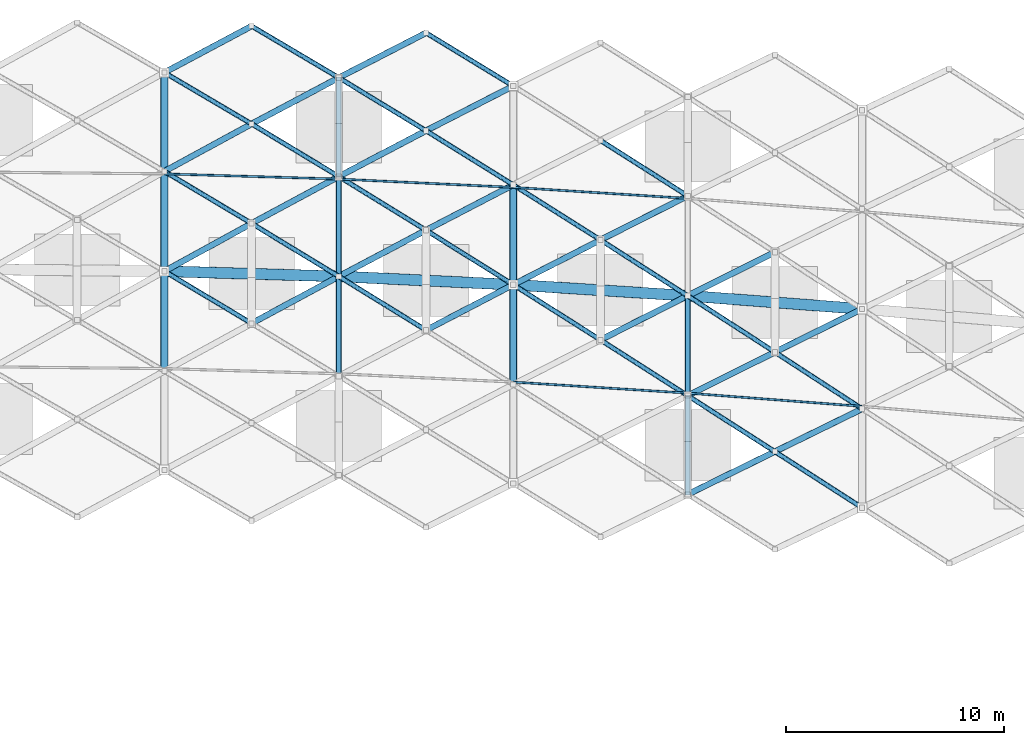
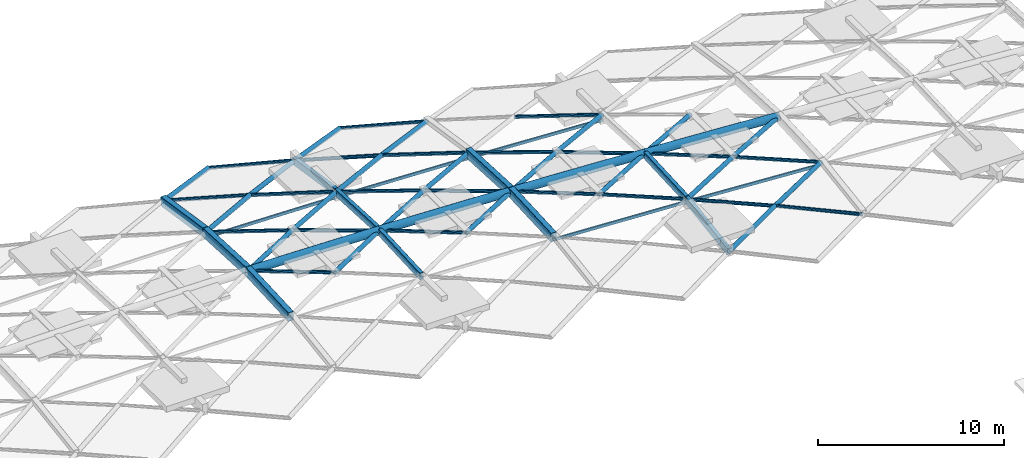
# One storey, part 6 of 27: 50 members, 10 beams.
"""IFC4 building model written with IfcOpenShell, lengths in metres."""

from ifc_helpers import new_model, si_unit, direction, frame, origin, origin_2d, place, context, subcontext, project, spatial, hollow_rectangle, hollow_circle, extrude, material, material_profile, profile_set, type_object, element, save


model = new_model("IFC4")

# Units and contexts
model_context = context("Model", 3, precision=1e-05, world=origin(), true_north=direction((0.0, 1.0)))
body_context = subcontext(model_context, "Body", "Model", "MODEL_VIEW")
ifc_project = project(units=[si_unit("LENGTHUNIT", "METRE"), si_unit("AREAUNIT", "SQUARE_METRE"), si_unit("VOLUMEUNIT", "CUBIC_METRE"), si_unit("PLANEANGLEUNIT", "RADIAN"), si_unit("MASSUNIT", "GRAM", prefix="KILO")], contexts=[model_context])

# Site, building, storey
site_placement = place(None, origin())
site = spatial("IfcSite", under=ifc_project, at=site_placement, CompositionType="ELEMENT")
building_placement = place(site_placement, origin())
building = spatial("IfcBuilding", under=site, at=building_placement, Name="Kenh Van Central Station", CompositionType="ELEMENT")
storey_placement = place(building_placement, frame((0.0, 0.0, 19.199951171875)))
storey = spatial("IfcBuildingStorey", under=building, at=storey_placement, Name="L04", CompositionType="ELEMENT", Elevation=19.199951171875)

# Beams
ifc_material = material(Name="White fluoropolymer structural steel S355", Category="steel")
ifc_material_profile_1 = material_profile(ifc_material, hollow_rectangle(XDim=0.35009765625, YDim=0.60009765625, WallThickness=0.01611328125, InnerFilletRadius=0.01611328125, OuterFilletRadius=0.031982421875, at=origin_2d()), Name="RHS 600x350x16")
ifc_profile_set_1 = profile_set([ifc_material_profile_1], Name="White fluoropolymer structural steel S355")
beam_type_1 = type_object("IfcBeamType", Name="BM-VAULT-ARCH600", PredefinedType="BEAM", material=ifc_profile_set_1)
beam_1_placement = place(storey_placement, frame((96.0, 86.53955078125, 1.7744140625), z_axis=(0.0, 0.998789366283, 0.049191480968), x_axis=(-1.0, 0.0, 0.0)))
element("IfcBeam", 1, at=beam_1_placement, inside=storey, type_object=beam_type_1, Name="Vault transverse arch 099", PredefinedType="BEAM", context=body_context, shape_type="SweptSolid", body=[
    extrude(hollow_rectangle(XDim=0.35009765625, YDim=0.60009765625, WallThickness=0.01611328125, InnerFilletRadius=0.01611328125, OuterFilletRadius=0.031982421875, at=origin_2d()), origin(), (0.0, 0.0, 1.0), 4.5859375),
])
beam_2_placement = place(storey_placement, frame((96.0, 91.119873046875, 2.0), z_axis=(0.0, 0.998789237449, -0.04919409677), x_axis=(-1.0, 0.0, 0.0)))
element("IfcBeam", 2, at=beam_2_placement, inside=storey, type_object=beam_type_1, Name="Vault transverse arch 100", PredefinedType="BEAM", context=body_context, shape_type="SweptSolid", body=[
    extrude(hollow_rectangle(XDim=0.35009765625, YDim=0.60009765625, WallThickness=0.01611328125, InnerFilletRadius=0.01611328125, OuterFilletRadius=0.031982421875, at=origin_2d()), origin(), (0.0, 0.0, 1.0), 4.585693359375),
])
beam_3_placement = place(storey_placement, frame((96.0, 95.699951171875, 1.7744140625), z_axis=(0.0, 0.988526901782, -0.151044908728), x_axis=(-1.0, 0.0, 0.0)))
element("IfcBeam", 3, at=beam_3_placement, inside=storey, type_object=beam_type_1, Name="Vault transverse arch 101", PredefinedType="BEAM", context=body_context, shape_type="SweptSolid", body=[
    extrude(hollow_rectangle(XDim=0.35009765625, YDim=0.60009765625, WallThickness=0.01611328125, InnerFilletRadius=0.01611328125, OuterFilletRadius=0.031982421875, at=origin_2d()), origin(), (0.0, 0.0, 1.0), 4.58544921875),
])
beam_4_placement = place(storey_placement, frame((112.0, 85.921630859375, 1.7744140625), z_axis=(0.0, 0.998789366283, 0.049191480968), x_axis=(-1.0, 0.0, 0.0)))
element("IfcBeam", 4, at=beam_4_placement, inside=storey, type_object=beam_type_1, Name="Vault transverse arch 123", PredefinedType="BEAM", context=body_context, shape_type="SweptSolid", body=[
    extrude(hollow_rectangle(XDim=0.35009765625, YDim=0.60009765625, WallThickness=0.01611328125, InnerFilletRadius=0.01611328125, OuterFilletRadius=0.031982421875, at=origin_2d()), origin(), (0.0, 0.0, 1.0), 4.5859375),
])
beam_5_placement = place(storey_placement, frame((112.0, 90.501953125, 2.0), z_axis=(0.0, 0.998789237449, -0.04919409677), x_axis=(-1.0, 0.0, 0.0)))
element("IfcBeam", 5, at=beam_5_placement, inside=storey, type_object=beam_type_1, Name="Vault transverse arch 124", PredefinedType="BEAM", context=body_context, shape_type="SweptSolid", body=[
    extrude(hollow_rectangle(XDim=0.35009765625, YDim=0.60009765625, WallThickness=0.01611328125, InnerFilletRadius=0.01611328125, OuterFilletRadius=0.031982421875, at=origin_2d()), origin(), (0.0, 0.0, 1.0), 4.585693359375),
])
ifc_material_profile_2 = material_profile(ifc_material, hollow_rectangle(XDim=0.25, YDim=0.449951171875, WallThickness=0.012451171875, InnerFilletRadius=0.012451171875, OuterFilletRadius=0.02490234375, at=origin_2d()), Name="RHS 450x250x12.5")
ifc_profile_set_2 = profile_set([ifc_material_profile_2], Name="White fluoropolymer structural steel S355")
beam_type_2 = type_object("IfcBeamType", Name="BM-VAULT-SUB450", PredefinedType="BEAM", material=ifc_profile_set_2)
beam_6_placement = place(storey_placement, frame((104.0, 86.302978515625, 1.7744140625), z_axis=(0.0, 0.998789237449, 0.04919409677), x_axis=(-1.0, 0.0, 0.0)))
element("IfcBeam", 6, at=beam_6_placement, inside=storey, type_object=beam_type_2, Name="Vault transverse arch 111", PredefinedType="BEAM", context=body_context, shape_type="SweptSolid", body=[
    extrude(hollow_rectangle(XDim=0.25, YDim=0.449951171875, WallThickness=0.012451171875, InnerFilletRadius=0.012451171875, OuterFilletRadius=0.02490234375, at=origin_2d()), origin(), (0.0, 0.0, 1.0), 4.585693359375),
])
beam_7_placement = place(storey_placement, frame((104.0, 90.883056640625, 2.0), z_axis=(0.0, 0.998789366283, -0.049191480968), x_axis=(-1.0, 0.0, 0.0)))
element("IfcBeam", 7, at=beam_7_placement, inside=storey, type_object=beam_type_2, Name="Vault transverse arch 112", PredefinedType="BEAM", context=body_context, shape_type="SweptSolid", body=[
    extrude(hollow_rectangle(XDim=0.25, YDim=0.449951171875, WallThickness=0.012451171875, InnerFilletRadius=0.012451171875, OuterFilletRadius=0.02490234375, at=origin_2d()), origin(), (0.0, 0.0, 1.0), 4.5859375),
])
for number, where, z_axis, x_axis, name in (
    (8, (104.0, 95.46337890625, 1.7744140625), (0.0, 0.988525687015, -0.15105285867), (-1.0, 0.0, 0.0), "Vault transverse arch 113"),
    (9, (120.0, 80.882080078125, 1.081787109375), (0.0, 0.988526901782, 0.151044908728), (-1.0, 0.0, 0.0), "Vault transverse arch 134"),
):
    element("IfcBeam", number, at=place(storey_placement, frame(where, z_axis=z_axis, x_axis=x_axis)), inside=storey, type_object=beam_type_2, Name=name, PredefinedType="BEAM", context=body_context, shape_type="SweptSolid", body=[
        extrude(hollow_rectangle(XDim=0.25, YDim=0.449951171875, WallThickness=0.012451171875, InnerFilletRadius=0.012451171875, OuterFilletRadius=0.02490234375, at=origin_2d()), origin(), (0.0, 0.0, 1.0), 4.58544921875),
    ])
beam_8_placement = place(storey_placement, frame((120.0, 85.4150390625, 1.7744140625), z_axis=(0.0, 0.998789237449, 0.04919409677), x_axis=(-1.0, 0.0, 0.0)))
element("IfcBeam", 10, at=beam_8_placement, inside=storey, type_object=beam_type_2, Name="Vault transverse arch 135", PredefinedType="BEAM", context=body_context, shape_type="SweptSolid", body=[
    extrude(hollow_rectangle(XDim=0.25, YDim=0.449951171875, WallThickness=0.012451171875, InnerFilletRadius=0.012451171875, OuterFilletRadius=0.02490234375, at=origin_2d()), origin(), (0.0, 0.0, 1.0), 4.585693359375),
])

# Members
ifc_material_profile_3 = material_profile(ifc_material, hollow_rectangle(XDim=0.10009765625, YDim=0.199951171875, WallThickness=0.008056640625, InnerFilletRadius=0.008056640625, OuterFilletRadius=0.01611328125, at=origin_2d()), Name="RHS 200x100x8")
ifc_profile_set_3 = profile_set([ifc_material_profile_3], Name="White fluoropolymer structural steel S355")
member_type_1 = type_object("IfcMemberType", Name="MEM-PUR-RHS200", PredefinedType="PURLIN", material=ifc_profile_set_3)
member_1_placement = place(storey_placement, frame((112.0, 86.03662109375, 1.51904296875), z_axis=(0.997999125469, -0.063227727798, 0.0), x_axis=(0.063227727798, 0.997999125469, 0.0)))
element("IfcMember", 11, at=member_1_placement, inside=storey, type_object=member_type_1, Name="Vault longitudinal purlin 025", PredefinedType="PURLIN", context=body_context, shape_type="SweptSolid", body=[
    extrude(hollow_rectangle(XDim=0.10009765625, YDim=0.199951171875, WallThickness=0.008056640625, InnerFilletRadius=0.008056640625, OuterFilletRadius=0.01611328125, at=origin_2d()), origin(), (0.0, 0.0, 1.0), 8.01611328125),
])
member_2_placement = place(storey_placement, frame((120.0, 85.52978515625, 1.51904296875), z_axis=(0.997136780926, -0.075619046039, 0.0), x_axis=(0.075619046039, 0.997136780926, 0.0)))
element("IfcMember", 12, at=member_2_placement, inside=storey, type_object=member_type_1, Name="Vault longitudinal purlin 026", PredefinedType="PURLIN", context=body_context, shape_type="SweptSolid", body=[
    extrude(hollow_rectangle(XDim=0.10009765625, YDim=0.199951171875, WallThickness=0.008056640625, InnerFilletRadius=0.008056640625, OuterFilletRadius=0.01611328125, at=origin_2d()), origin(), (0.0, 0.0, 1.0), 8.02294921875),
])
member_3_placement = place(storey_placement, frame((96.0, 95.585205078125, 1.51904296875), z_axis=(0.999562147036, -0.029589089436, 0.0), x_axis=(0.029589089436, 0.999562147036, 0.0)))
element("IfcMember", 13, at=member_3_placement, inside=storey, type_object=member_type_1, Name="Vault longitudinal purlin 037", PredefinedType="PURLIN", context=body_context, shape_type="SweptSolid", body=[
    extrude(hollow_rectangle(XDim=0.10009765625, YDim=0.199951171875, WallThickness=0.008056640625, InnerFilletRadius=0.008056640625, OuterFilletRadius=0.01611328125, at=origin_2d()), origin(), (0.0, 0.0, 1.0), 8.00341796875),
])
member_4_placement = place(storey_placement, frame((104.0, 95.348388671875, 1.51904296875), z_axis=(0.998867240988, -0.047583977148, 0.0), x_axis=(0.047583977148, 0.998867240988, 0.0)))
element("IfcMember", 14, at=member_4_placement, inside=storey, type_object=member_type_1, Name="Vault longitudinal purlin 038", PredefinedType="PURLIN", context=body_context, shape_type="SweptSolid", body=[
    extrude(hollow_rectangle(XDim=0.10009765625, YDim=0.199951171875, WallThickness=0.008056640625, InnerFilletRadius=0.008056640625, OuterFilletRadius=0.01611328125, at=origin_2d()), origin(), (0.0, 0.0, 1.0), 8.009033203125),
])
member_5_placement = place(storey_placement, frame((112.0, 94.96728515625, 1.51904296875), z_axis=(0.997999125469, -0.063227727798, 0.0), x_axis=(0.063227727798, 0.997999125469, 0.0)))
element("IfcMember", 15, at=member_5_placement, inside=storey, type_object=member_type_1, Name="Vault longitudinal purlin 039", PredefinedType="PURLIN", context=body_context, shape_type="SweptSolid", body=[
    extrude(hollow_rectangle(XDim=0.10009765625, YDim=0.199951171875, WallThickness=0.008056640625, InnerFilletRadius=0.008056640625, OuterFilletRadius=0.01611328125, at=origin_2d()), origin(), (0.0, 0.0, 1.0), 8.01611328125),
])
ifc_material_profile_4 = material_profile(ifc_material, hollow_circle(Radius=0.109619140625, WallThickness=0.008056640625, at=origin_2d()), Name="CHS 219.1x8")
ifc_profile_set_4 = profile_set([ifc_material_profile_4], Name="White fluoropolymer structural steel S355")
member_type_2 = type_object("IfcMemberType", Name="MEM-VAULT-BRC219", PredefinedType="BRACE", material=ifc_profile_set_4)
for number, where, z_axis, x_axis, name in (
    (16, (96.0, 91.119873046875, 2.0), (0.858155432562, -0.513248601299, -0.01204685971), (0.513285848424, 0.858217710029, 0.0), "Vault diamond grid member 0381"),
    (17, (96.0, 95.699951171875, 1.7744140625), (0.858180729235, -0.512059009338, 0.03635116126), (0.512397664162, 0.858748294765, 0.0), "Vault diamond grid member 0383"),
):
    element("IfcMember", number, at=place(storey_placement, frame(where, z_axis=z_axis, x_axis=x_axis)), inside=storey, type_object=member_type_2, Name=name, PredefinedType="BRACE", context=body_context, shape_type="SweptSolid", body=[
        extrude(hollow_circle(Radius=0.109619140625, WallThickness=0.008056640625, at=origin_2d()), origin(), (0.0, 0.0, 1.0), 4.6611328125),
    ])
member_6_placement = place(storey_placement, frame((96.0, 100.23291015625, 1.081787109375), z_axis=(0.858285733926, -0.505678234228, 0.087379187267), x_axis=(0.507619817094, 0.861581175104, 0.0)))
element("IfcMember", 18, at=member_6_placement, inside=storey, type_object=member_type_2, Name="Vault diamond grid member 0385", PredefinedType="BRACE", context=body_context, shape_type="SweptSolid", body=[
    extrude(hollow_circle(Radius=0.109619140625, WallThickness=0.008056640625, at=origin_2d()), origin(), (0.0, 0.0, 1.0), 4.660400390625),
])
member_7_placement = place(storey_placement, frame((100.0, 93.313232421875, 1.94384765625), z_axis=(0.854573913069, -0.519191206707, 0.011996582032), x_axis=(0.519228571215, 0.854635413983, 0.0)))
element("IfcMember", 19, at=member_7_placement, inside=storey, type_object=member_type_2, Name="Vault diamond grid member 0406", PredefinedType="BRACE", context=body_context, shape_type="SweptSolid", body=[
    extrude(hollow_circle(Radius=0.109619140625, WallThickness=0.008056640625, at=origin_2d()), origin(), (0.0, 0.0, 1.0), 4.6806640625),
])
member_8_placement = place(storey_placement, frame((100.0, 97.876220703125, 1.489013671875), z_axis=(0.854684096313, -0.515554377677, 0.060981793737), x_axis=(0.516515676092, 0.856277733187, 0.0)))
element("IfcMember", 20, at=member_8_placement, inside=storey, type_object=member_type_2, Name="Vault diamond grid member 0408", PredefinedType="BRACE", context=body_context, shape_type="SweptSolid", body=[
    extrude(hollow_circle(Radius=0.109619140625, WallThickness=0.008056640625, at=origin_2d()), origin(), (0.0, 0.0, 1.0), 4.68017578125),
])
member_9_placement = place(storey_placement, frame((100.0, 102.36328125, 0.545654296875), z_axis=(0.854923079647, -0.5059408069, 0.114588078791), x_axis=(0.509295489217, 0.860591717752, 0.0)))
element("IfcMember", 21, at=member_9_placement, inside=storey, type_object=member_type_2, Name="Vault diamond grid member 0410", PredefinedType="BRACE", context=body_context, shape_type="SweptSolid", body=[
    extrude(hollow_circle(Radius=0.109619140625, WallThickness=0.008056640625, at=origin_2d()), origin(), (0.0, 0.0, 1.0), 4.6787109375),
])
member_10_placement = place(storey_placement, frame((104.0, 90.883056640625, 2.0), z_axis=(0.851120942783, -0.524833672176, -0.011948108938), x_axis=(0.524871138108, 0.851181701155, 0.0)))
element("IfcMember", 22, at=member_10_placement, inside=storey, type_object=member_type_2, Name="Vault diamond grid member 0429", PredefinedType="BRACE", context=body_context, shape_type="SweptSolid", body=[
    extrude(hollow_circle(Radius=0.109619140625, WallThickness=0.008056640625, at=origin_2d()), origin(), (0.0, 0.0, 1.0), 4.69970703125),
])
member_11_placement = place(storey_placement, frame((104.0, 95.46337890625, 1.7744140625), z_axis=(0.851161683911, -0.523663926625, 0.036053845742), x_axis=(0.524004608874, 0.851715427757, 0.0)))
element("IfcMember", 23, at=member_11_placement, inside=storey, type_object=member_type_2, Name="Vault diamond grid member 0431", PredefinedType="BRACE", context=body_context, shape_type="SweptSolid", body=[
    extrude(hollow_circle(Radius=0.109619140625, WallThickness=0.008056640625, at=origin_2d()), origin(), (0.0, 0.0, 1.0), 4.699462890625),
])
member_12_placement = place(storey_placement, frame((104.0, 99.99609375, 1.081787109375), z_axis=(0.851372961313, -0.517350415212, 0.08667542111), x_axis=(0.519304764627, 0.854589118486, 0.0)))
element("IfcMember", 24, at=member_12_placement, inside=storey, type_object=member_type_2, Name="Vault diamond grid member 0433", PredefinedType="BRACE", context=body_context, shape_type="SweptSolid", body=[
    extrude(hollow_circle(Radius=0.109619140625, WallThickness=0.008056640625, at=origin_2d()), origin(), (0.0, 0.0, 1.0), 4.6982421875),
])
member_13_placement = place(storey_placement, frame((108.0, 93.00244140625, 1.94384765625), z_axis=(0.847891710132, -0.530035821239, 0.011902776693), x_axis=(0.530073371931, 0.847951779507, 0.0)))
element("IfcMember", 25, at=member_13_placement, inside=storey, type_object=member_type_2, Name="Vault diamond grid member 0454", PredefinedType="BRACE", context=body_context, shape_type="SweptSolid", body=[
    extrude(hollow_circle(Radius=0.109619140625, WallThickness=0.008056640625, at=origin_2d()), origin(), (0.0, 0.0, 1.0), 4.717529296875),
])
member_14_placement = place(storey_placement, frame((108.0, 97.5654296875, 1.489013671875), z_axis=(0.848022674386, -0.526494546134, 0.060506500632), x_axis=(0.527460958404, 0.849579270792, 0.0)))
element("IfcMember", 26, at=member_14_placement, inside=storey, type_object=member_type_2, Name="Vault diamond grid member 0456", PredefinedType="BRACE", context=body_context, shape_type="SweptSolid", body=[
    extrude(hollow_circle(Radius=0.109619140625, WallThickness=0.008056640625, at=origin_2d()), origin(), (0.0, 0.0, 1.0), 4.716796875),
])
member_15_placement = place(storey_placement, frame((108.0, 102.052490234375, 0.545654296875), z_axis=(0.848401731199, -0.51699480495, 0.113714001569), x_axis=(0.520370172675, 0.853940796185, 0.0)))
element("IfcMember", 27, at=member_15_placement, inside=storey, type_object=member_type_2, Name="Vault diamond grid member 0458", PredefinedType="BRACE", context=body_context, shape_type="SweptSolid", body=[
    extrude(hollow_circle(Radius=0.109619140625, WallThickness=0.008056640625, at=origin_2d()), origin(), (0.0, 0.0, 1.0), 4.71484375),
])
member_16_placement = place(storey_placement, frame((112.0, 90.501953125, 2.0), z_axis=(0.844865306466, -0.534847592692, -0.011860291778), x_axis=(0.534885214236, 0.844924734868, 0.0)))
element("IfcMember", 28, at=member_16_placement, inside=storey, type_object=member_type_2, Name="Vault diamond grid member 0477", PredefinedType="BRACE", context=body_context, shape_type="SweptSolid", body=[
    extrude(hollow_circle(Radius=0.109619140625, WallThickness=0.008056640625, at=origin_2d()), origin(), (0.0, 0.0, 1.0), 4.734375),
])
member_17_placement = place(storey_placement, frame((112.0, 95.08203125, 1.7744140625), z_axis=(0.8449423119, -0.533658633029, 0.035790403104), x_axis=(0.534000757549, 0.845483998037, 0.0)))
element("IfcMember", 29, at=member_17_placement, inside=storey, type_object=member_type_2, Name="Vault diamond grid member 0479", PredefinedType="BRACE", context=body_context, shape_type="SweptSolid", body=[
    extrude(hollow_circle(Radius=0.109619140625, WallThickness=0.008056640625, at=origin_2d()), origin(), (0.0, 0.0, 1.0), 4.734130859375),
])
member_18_placement = place(storey_placement, frame((116.0, 87.9697265625, 1.94384765625), z_axis=(0.842242721568, -0.537916738189, -0.035676052781), x_axis=(0.538259390347, 0.842779228923, 0.0)))
element("IfcMember", 30, at=member_18_placement, inside=storey, type_object=member_type_2, Name="Vault diamond grid member 0500", PredefinedType="BRACE", context=body_context, shape_type="SweptSolid", body=[
    extrude(hollow_circle(Radius=0.109619140625, WallThickness=0.008056640625, at=origin_2d()), origin(), (0.0, 0.0, 1.0), 4.749267578125),
])
member_19_placement = place(storey_placement, frame((116.0, 92.5556640625, 1.94384765625), z_axis=(0.842160257136, -0.539097703665, 0.011822318063), x_axis=(0.539135381704, 0.842219116498, 0.0)))
element("IfcMember", 31, at=member_19_placement, inside=storey, type_object=member_type_2, Name="Vault diamond grid member 0502", PredefinedType="BRACE", context=body_context, shape_type="SweptSolid", body=[
    extrude(hollow_circle(Radius=0.109619140625, WallThickness=0.008056640625, at=origin_2d()), origin(), (0.0, 0.0, 1.0), 4.749755859375),
])
member_20_placement = place(storey_placement, frame((116.0, 97.11865234375, 1.489013671875), z_axis=(0.842350113407, -0.535568916709, 0.060101762852), x_axis=(0.536538842075, 0.843875625282, 0.0)))
element("IfcMember", 32, at=member_20_placement, inside=storey, type_object=member_type_2, Name="Vault diamond grid member 0504", PredefinedType="BRACE", context=body_context, shape_type="SweptSolid", body=[
    extrude(hollow_circle(Radius=0.109619140625, WallThickness=0.008056640625, at=origin_2d()), origin(), (0.0, 0.0, 1.0), 4.74853515625),
])
member_21_placement = place(storey_placement, frame((120.0, 85.4150390625, 1.7744140625), z_axis=(0.839959508267, -0.53932946942, -0.059931192942), x_axis=(0.540300654133, 0.841472045372, 0.0)))
element("IfcMember", 33, at=member_21_placement, inside=storey, type_object=member_type_2, Name="Vault diamond grid member 0523", PredefinedType="BRACE", context=body_context, shape_type="SweptSolid", body=[
    extrude(hollow_circle(Radius=0.109619140625, WallThickness=0.008056640625, at=origin_2d()), origin(), (0.0, 0.0, 1.0), 4.76220703125),
])
member_22_placement = place(storey_placement, frame((120.0, 89.9951171875, 2.0), z_axis=(0.839778494384, -0.542801163057, -0.011788882673), x_axis=(0.542838885632, 0.839836855732, 0.0)))
element("IfcMember", 34, at=member_22_placement, inside=storey, type_object=member_type_2, Name="Vault diamond grid member 0525", PredefinedType="BRACE", context=body_context, shape_type="SweptSolid", body=[
    extrude(hollow_circle(Radius=0.109619140625, WallThickness=0.008056640625, at=origin_2d()), origin(), (0.0, 0.0, 1.0), 4.76318359375),
])
member_23_placement = place(storey_placement, frame((124.0, 82.8466796875, 1.489013671875), z_axis=(0.838124024314, -0.538764784184, -0.085326591343), x_axis=(0.540736831818, 0.841191820405, 0.0)))
element("IfcMember", 35, at=member_23_placement, inside=storey, type_object=member_type_2, Name="Vault diamond grid member 0546", PredefinedType="BRACE", context=body_context, shape_type="SweptSolid", body=[
    extrude(hollow_circle(Radius=0.109619140625, WallThickness=0.008056640625, at=origin_2d()), origin(), (0.0, 0.0, 1.0), 4.7724609375),
])
member_24_placement = place(storey_placement, frame((124.0, 87.40966796875, 1.94384765625), z_axis=(0.837765962791, -0.544875128143, -0.035486424449), x_axis=(0.545218529405, 0.838293955121, 0.0)))
element("IfcMember", 36, at=member_24_placement, inside=storey, type_object=member_type_2, Name="Vault diamond grid member 0548", PredefinedType="BRACE", context=body_context, shape_type="SweptSolid", body=[
    extrude(hollow_circle(Radius=0.109619140625, WallThickness=0.008056640625, at=origin_2d()), origin(), (0.0, 0.0, 1.0), 4.774658203125),
])
ifc_material_profile_5 = material_profile(ifc_material, hollow_circle(Radius=0.136474609375, WallThickness=0.010009765625, at=origin_2d()), Name="CHS 273x10")
ifc_profile_set_5 = profile_set([ifc_material_profile_5], Name="White fluoropolymer structural steel S355")
member_type_3 = type_object("IfcMemberType", Name="MEM-VAULT-CHD273", PredefinedType="CHORD", material=ifc_profile_set_5)
member_25_placement = place(storey_placement, frame((96.0, 91.119873046875, 2.0), z_axis=(0.876763458697, 0.480764337947, -0.01230808078), x_axis=(-0.480800757304, 0.876829876188, 0.0)))
element("IfcMember", 37, at=member_25_placement, inside=storey, type_object=member_type_3, Name="Vault diamond grid member 0380", PredefinedType="CHORD", context=body_context, shape_type="SweptSolid", body=[
    extrude(hollow_circle(Radius=0.136474609375, WallThickness=0.010009765625, at=origin_2d()), origin(), (0.0, 0.0, 1.0), 4.562255859375),
])
member_26_placement = place(storey_placement, frame((96.0, 95.699951171875, 1.7744140625), z_axis=(0.876687139909, 0.476976877756, -0.062551713046), x_axis=(-0.477912762765, 0.878407303696, 0.0)))
element("IfcMember", 38, at=member_26_placement, inside=storey, type_object=member_type_3, Name="Vault diamond grid member 0382", PredefinedType="CHORD", context=body_context, shape_type="SweptSolid", body=[
    extrude(hollow_circle(Radius=0.136474609375, WallThickness=0.010009765625, at=origin_2d()), origin(), (0.0, 0.0, 1.0), 4.562744140625),
])
member_27_placement = place(storey_placement, frame((96.0, 100.23291015625, 1.081787109375), z_axis=(0.876512067751, 0.466823993115, -0.117481720018), x_axis=(-0.470079270803, 0.882624200417, 0.0)))
element("IfcMember", 39, at=member_27_placement, inside=storey, type_object=member_type_3, Name="Vault diamond grid member 0384", PredefinedType="CHORD", context=body_context, shape_type="SweptSolid", body=[
    extrude(hollow_circle(Radius=0.136474609375, WallThickness=0.010009765625, at=origin_2d()), origin(), (0.0, 0.0, 1.0), 4.5634765625),
])
member_28_placement = place(storey_placement, frame((100.0, 88.7275390625, 1.94384765625), z_axis=(0.880250290221, 0.47434874343, 0.012357029221), x_axis=(-0.474384963197, 0.880317503343, 0.0)))
element("IfcMember", 40, at=member_28_placement, inside=storey, type_object=member_type_3, Name="Vault diamond grid member 0403", PredefinedType="CHORD", context=body_context, shape_type="SweptSolid", body=[
    extrude(hollow_circle(Radius=0.136474609375, WallThickness=0.010009765625, at=origin_2d()), origin(), (0.0, 0.0, 1.0), 4.544189453125),
])
member_29_placement = place(storey_placement, frame((100.0, 93.313232421875, 1.94384765625), z_axis=(0.880198532635, 0.473138945124, -0.037283800149), x_axis=(-0.473468139276, 0.880810945147, 0.0)))
element("IfcMember", 41, at=member_29_placement, inside=storey, type_object=member_type_3, Name="Vault diamond grid member 0405", PredefinedType="CHORD", context=body_context, shape_type="SweptSolid", body=[
    extrude(hollow_circle(Radius=0.136474609375, WallThickness=0.010009765625, at=origin_2d()), origin(), (0.0, 0.0, 1.0), 4.54443359375),
])
member_30_placement = place(storey_placement, frame((100.0, 97.876220703125, 1.489013671875), z_axis=(0.880031132501, 0.46638856955, -0.089593013245), x_axis=(-0.468271743286, 0.883584503282, 0.0)))
element("IfcMember", 42, at=member_30_placement, inside=storey, type_object=member_type_3, Name="Vault diamond grid member 0407", PredefinedType="CHORD", context=body_context, shape_type="SweptSolid", body=[
    extrude(hollow_circle(Radius=0.136474609375, WallThickness=0.010009765625, at=origin_2d()), origin(), (0.0, 0.0, 1.0), 4.54541015625),
])
member_31_placement = place(storey_placement, frame((104.0, 90.883056640625, 2.0), z_axis=(0.883561154732, 0.468151512709, -0.012403507421), x_axis=(-0.468187528717, 0.88362912919, 0.0)))
element("IfcMember", 43, at=member_31_placement, inside=storey, type_object=member_type_3, Name="Vault diamond grid member 0428", PredefinedType="CHORD", context=body_context, shape_type="SweptSolid", body=[
    extrude(hollow_circle(Radius=0.136474609375, WallThickness=0.010009765625, at=origin_2d()), origin(), (0.0, 0.0, 1.0), 4.527099609375),
])
member_32_placement = place(storey_placement, frame((104.0, 95.46337890625, 1.7744140625), z_axis=(0.883450681525, 0.464264548824, -0.063034292401), x_axis=(-0.465189642788, 0.88521104616, 0.0)))
element("IfcMember", 44, at=member_32_placement, inside=storey, type_object=member_type_3, Name="Vault diamond grid member 0430", PredefinedType="CHORD", context=body_context, shape_type="SweptSolid", body=[
    extrude(hollow_circle(Radius=0.136474609375, WallThickness=0.010009765625, at=origin_2d()), origin(), (0.0, 0.0, 1.0), 4.527587890625),
])
member_33_placement = place(storey_placement, frame((104.0, 99.99609375, 1.081787109375), z_axis=(0.883103238671, 0.454002598836, -0.118365155769), x_axis=(-0.457216770803, 0.889355285865, 0.0)))
element("IfcMember", 45, at=member_33_placement, inside=storey, type_object=member_type_3, Name="Vault diamond grid member 0432", PredefinedType="CHORD", context=body_context, shape_type="SweptSolid", body=[
    extrude(hollow_circle(Radius=0.136474609375, WallThickness=0.010009765625, at=origin_2d()), origin(), (0.0, 0.0, 1.0), 4.529541015625),
])
member_34_placement = place(storey_placement, frame((108.0, 88.41650390625, 1.94384765625), z_axis=(0.886653148623, 0.462267529025, 0.012446913097), x_axis=(-0.462303341734, 0.886721839261, 0.0)))
element("IfcMember", 46, at=member_34_placement, inside=storey, type_object=member_type_3, Name="Vault diamond grid member 0451", PredefinedType="CHORD", context=body_context, shape_type="SweptSolid", body=[
    extrude(hollow_circle(Radius=0.136474609375, WallThickness=0.010009765625, at=origin_2d()), origin(), (0.0, 0.0, 1.0), 4.51123046875),
])
member_35_placement = place(storey_placement, frame((108.0, 93.00244140625, 1.94384765625), z_axis=(0.886628096745, 0.460955696294, -0.037556146188), x_axis=(-0.461281121319, 0.887254037531, 0.0)))
element("IfcMember", 47, at=member_35_placement, inside=storey, type_object=member_type_3, Name="Vault diamond grid member 0453", PredefinedType="CHORD", context=body_context, shape_type="SweptSolid", body=[
    extrude(hollow_circle(Radius=0.136474609375, WallThickness=0.010009765625, at=origin_2d()), origin(), (0.0, 0.0, 1.0), 4.511474609375),
])
member_36_placement = place(storey_placement, frame((108.0, 97.5654296875, 1.489013671875), z_axis=(0.886342247308, 0.454153025278, -0.090235526642), x_axis=(-0.456013352948, 0.889972933259, 0.0)))
element("IfcMember", 48, at=member_36_placement, inside=storey, type_object=member_type_3, Name="Vault diamond grid member 0455", PredefinedType="CHORD", context=body_context, shape_type="SweptSolid", body=[
    extrude(hollow_circle(Radius=0.136474609375, WallThickness=0.010009765625, at=origin_2d()), origin(), (0.0, 0.0, 1.0), 4.512939453125),
])
member_37_placement = place(storey_placement, frame((112.0, 90.501953125, 2.0), z_axis=(0.889528663703, 0.456708686466, -0.012487279825), x_axis=(-0.456744298417, 0.889598024876, 0.0)))
element("IfcMember", 49, at=member_37_placement, inside=storey, type_object=member_type_3, Name="Vault diamond grid member 0476", PredefinedType="CHORD", context=body_context, shape_type="SweptSolid", body=[
    extrude(hollow_circle(Radius=0.136474609375, WallThickness=0.010009765625, at=origin_2d()), origin(), (0.0, 0.0, 1.0), 4.496826171875),
])
member_38_placement = place(storey_placement, frame((116.0, 87.9697265625, 1.94384765625), z_axis=(0.892080531368, 0.451702886244, 0.012523103163), x_axis=(-0.451738310267, 0.89215049125, 0.0)))
element("IfcMember", 50, at=member_38_placement, inside=storey, type_object=member_type_3, Name="Vault diamond grid member 0499", PredefinedType="CHORD", context=body_context, shape_type="SweptSolid", body=[
    extrude(hollow_circle(Radius=0.136474609375, WallThickness=0.010009765625, at=origin_2d()), origin(), (0.0, 0.0, 1.0), 4.48388671875),
])
member_39_placement = place(storey_placement, frame((116.0, 92.5556640625, 1.94384765625), z_axis=(0.892017529984, 0.450418763767, -0.037784433948), x_axis=(-0.45074063165, 0.892654963006, 0.0)))
element("IfcMember", 51, at=member_39_placement, inside=storey, type_object=member_type_3, Name="Vault diamond grid member 0501", PredefinedType="CHORD", context=body_context, shape_type="SweptSolid", body=[
    extrude(hollow_circle(Radius=0.136474609375, WallThickness=0.010009765625, at=origin_2d()), origin(), (0.0, 0.0, 1.0), 4.484130859375),
])
member_40_placement = place(storey_placement, frame((120.0, 80.882080078125, 1.081787109375), z_axis=(0.893857870913, 0.439018206008, 0.091000667034), x_axis=(-0.440847355971, 0.897582090248, 0.0)))
element("IfcMember", 52, at=member_40_placement, inside=storey, type_object=member_type_3, Name="Vault diamond grid member 0520", PredefinedType="CHORD", context=body_context, shape_type="SweptSolid", body=[
    extrude(hollow_circle(Radius=0.136474609375, WallThickness=0.010009765625, at=origin_2d()), origin(), (0.0, 0.0, 1.0), 4.47509765625),
])
member_41_placement = place(storey_placement, frame((120.0, 85.4150390625, 1.7744140625), z_axis=(0.894265070601, 0.445931739918, 0.037879636169), x_axis=(-0.446252010951, 0.894907337506, 0.0)))
element("IfcMember", 53, at=member_41_placement, inside=storey, type_object=member_type_3, Name="Vault diamond grid member 0522", PredefinedType="CHORD", context=body_context, shape_type="SweptSolid", body=[
    extrude(hollow_circle(Radius=0.136474609375, WallThickness=0.010009765625, at=origin_2d()), origin(), (0.0, 0.0, 1.0), 4.472900390625),
])
member_42_placement = place(storey_placement, frame((120.0, 89.9951171875, 2.0), z_axis=(0.894334862224, 0.44722201698, -0.012554749653), x_axis=(-0.447257267103, 0.894405353866, 0.0)))
element("IfcMember", 54, at=member_42_placement, inside=storey, type_object=member_type_3, Name="Vault diamond grid member 0524", PredefinedType="CHORD", context=body_context, shape_type="SweptSolid", body=[
    extrude(hollow_circle(Radius=0.136474609375, WallThickness=0.010009765625, at=origin_2d()), origin(), (0.0, 0.0, 1.0), 4.47265625),
])
member_43_placement = place(storey_placement, frame((124.0, 82.8466796875, 1.489013671875), z_axis=(0.896027031149, 0.439372629898, 0.063931616175), x_axis=(-0.440273305035, 0.897863807531, 0.0)))
element("IfcMember", 55, at=member_43_placement, inside=storey, type_object=member_type_3, Name="Vault diamond grid member 0545", PredefinedType="CHORD", context=body_context, shape_type="SweptSolid", body=[
    extrude(hollow_circle(Radius=0.136474609375, WallThickness=0.010009765625, at=origin_2d()), origin(), (0.0, 0.0, 1.0), 4.464111328125),
])
member_44_placement = place(storey_placement, frame((124.0, 87.40966796875, 1.94384765625), z_axis=(0.89625195122, 0.443366825234, 0.012581661913), x_axis=(-0.44340192149, 0.896322897186, 0.0)))
element("IfcMember", 56, at=member_44_placement, inside=storey, type_object=member_type_3, Name="Vault diamond grid member 0547", PredefinedType="CHORD", context=body_context, shape_type="SweptSolid", body=[
    extrude(hollow_circle(Radius=0.136474609375, WallThickness=0.010009765625, at=origin_2d()), origin(), (0.0, 0.0, 1.0), 4.463134765625),
])
ifc_material_profile_6 = material_profile(ifc_material, hollow_circle(Radius=0.25390625, WallThickness=0.01611328125, at=origin_2d()), Name="CHS 508x16")
ifc_profile_set_6 = profile_set([ifc_material_profile_6], Name="White fluoropolymer structural steel S355")
member_type_4 = type_object("IfcMemberType", Name="MEM-VAULT-CHD508", PredefinedType="CHORD", material=ifc_profile_set_6)
member_45_placement = place(storey_placement, frame((96.0, 91.119873046875, 2.0), z_axis=(0.999562147036, -0.029589089436, 0.0), x_axis=(0.029589089436, 0.999562147036, 0.0)))
element("IfcMember", 57, at=member_45_placement, inside=storey, type_object=member_type_4, Name="Vault longitudinal spine chord 09", PredefinedType="CHORD", context=body_context, shape_type="SweptSolid", body=[
    extrude(hollow_circle(Radius=0.25390625, WallThickness=0.01611328125, at=origin_2d()), origin(), (0.0, 0.0, 1.0), 8.00341796875),
])
member_46_placement = place(storey_placement, frame((104.0, 90.883056640625, 2.0), z_axis=(0.998867240988, -0.047583977148, 0.0), x_axis=(0.047583977148, 0.998867240988, 0.0)))
element("IfcMember", 58, at=member_46_placement, inside=storey, type_object=member_type_4, Name="Vault longitudinal spine chord 10", PredefinedType="CHORD", context=body_context, shape_type="SweptSolid", body=[
    extrude(hollow_circle(Radius=0.25390625, WallThickness=0.01611328125, at=origin_2d()), origin(), (0.0, 0.0, 1.0), 8.009033203125),
])
member_47_placement = place(storey_placement, frame((112.0, 90.501953125, 2.0), z_axis=(0.997999125469, -0.063227727798, 0.0), x_axis=(0.063227727798, 0.997999125469, 0.0)))
element("IfcMember", 59, at=member_47_placement, inside=storey, type_object=member_type_4, Name="Vault longitudinal spine chord 11", PredefinedType="CHORD", context=body_context, shape_type="SweptSolid", body=[
    extrude(hollow_circle(Radius=0.25390625, WallThickness=0.01611328125, at=origin_2d()), origin(), (0.0, 0.0, 1.0), 8.01611328125),
])
member_48_placement = place(storey_placement, frame((120.0, 89.9951171875, 2.0), z_axis=(0.997136780926, -0.075619046039, 0.0), x_axis=(0.075619046039, 0.997136780926, 0.0)))
element("IfcMember", 60, at=member_48_placement, inside=storey, type_object=member_type_4, Name="Vault longitudinal spine chord 12", PredefinedType="CHORD", context=body_context, shape_type="SweptSolid", body=[
    extrude(hollow_circle(Radius=0.25390625, WallThickness=0.01611328125, at=origin_2d()), origin(), (0.0, 0.0, 1.0), 8.02294921875),
])

save(model, "model.ifc")
